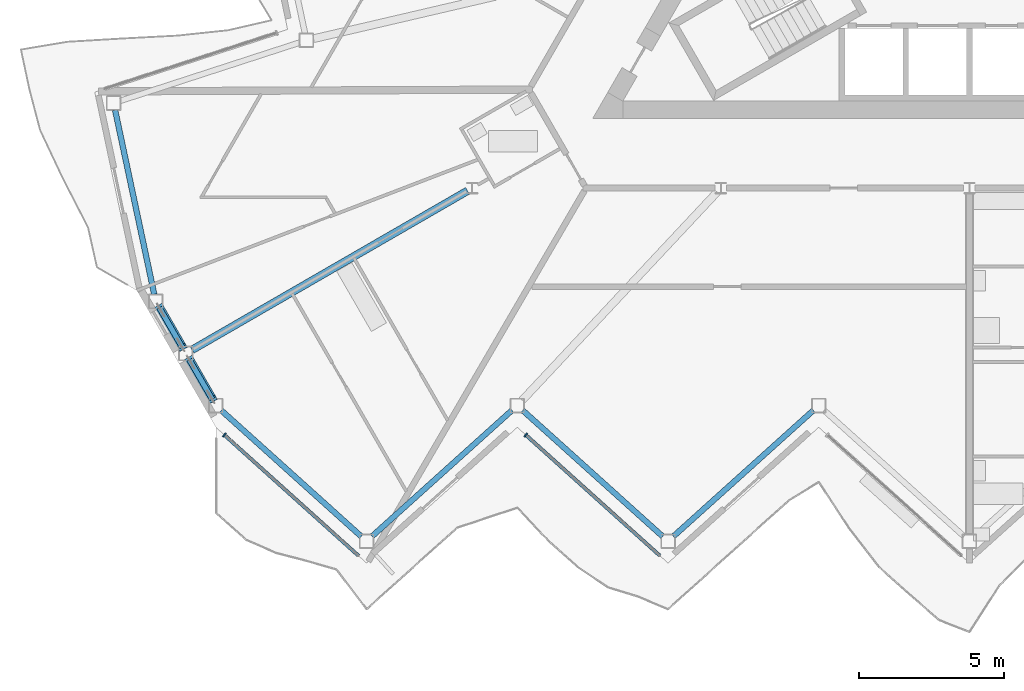
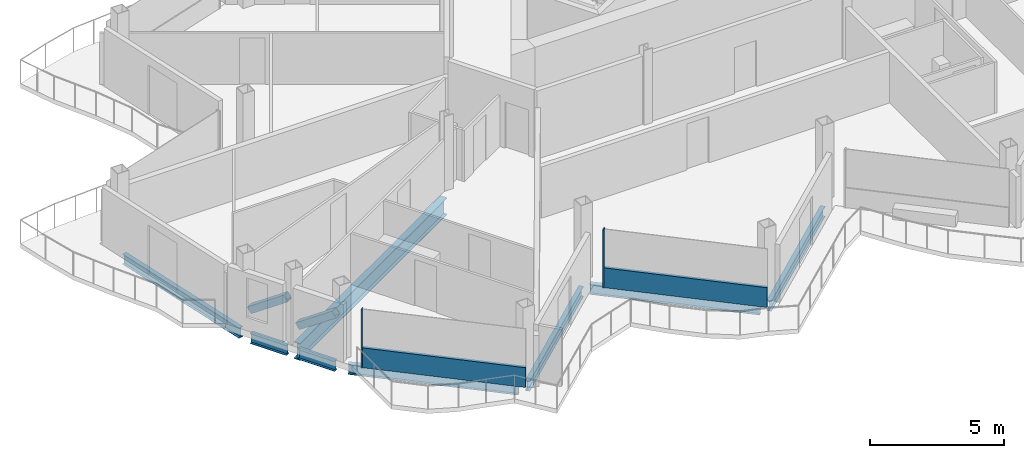
# One storey, part 4 of 26: 8 beams, 6 members, 2 elements without a shape of their own.
"""IFC4 building model written with IfcOpenShell, lengths in metres."""

from ifc_helpers import new_model, si_unit, direction, frame, origin, origin_2d, place, context, subcontext, project, spatial, rectangle, hollow_rectangle, i_section, extrude, material, layer, layer_set, material_profile, profile_set, type_object, element, aggregate, save


model = new_model("IFC4")

# Units and contexts
model_context = context("Model", 3, precision=1e-05, world=origin(), true_north=direction((0.0, 1.0)))
body_context = subcontext(model_context, "Body", "Model", "MODEL_VIEW")
ifc_project = project(units=[si_unit("LENGTHUNIT", "METRE"), si_unit("AREAUNIT", "SQUARE_METRE"), si_unit("VOLUMEUNIT", "CUBIC_METRE"), si_unit("PLANEANGLEUNIT", "RADIAN"), si_unit("MASSUNIT", "GRAM", prefix="KILO")], contexts=[model_context])

# Site, building, storey
site_placement = place(None, origin())
site = spatial("IfcSite", under=ifc_project, at=site_placement, CompositionType="ELEMENT")
building_placement = place(site_placement, origin())
building = spatial("IfcBuilding", under=site, at=building_placement, Name="Cormorant Prow Tower", CompositionType="ELEMENT")
storey_placement = place(building_placement, frame((0.0, 0.0, 364.39990234375)))
storey = spatial("IfcBuildingStorey", under=building, at=storey_placement, Name="L81", CompositionType="ELEMENT", Elevation=364.39990234375)

# Members
ifc_material_1 = material(Name="Structural steel ASTM A500 Gr C", Category="steel")
ifc_material_profile_1 = material_profile(ifc_material_1, hollow_rectangle(XDim=0.3046875, YDim=0.3046875, WallThickness=0.01171875, at=origin_2d()), Name="HSS12x12x1/2")
ifc_profile_set_1 = profile_set([ifc_material_profile_1], Name="Structural steel ASTM A500 Gr C")
member_type_1 = type_object("IfcMemberType", Name="Chamfer brace HSS12x12x1/2", PredefinedType="BRACE", material=ifc_profile_set_1)
member_1_placement = place(storey_placement, frame((-27.950439453125, -14.027587890625, 0.770751953125), z_axis=(0.411259909174, -0.712333680754, 0.568723143867), x_axis=(0.866028632512, 0.499994407638, 0.0)))
element("IfcMember", 1, at=member_1_placement, inside=storey, type_object=member_type_1, Name="Chamfer brace BR3 at WSW00 L81", PredefinedType="BRACE", context=body_context, shape_type="SweptSolid", body=[
    extrude(hollow_rectangle(XDim=0.3046875, YDim=0.3046875, WallThickness=0.01171875, at=origin_2d()), origin(), (0.0, 0.0, 1.0), 1.921142578125),
])
member_2_placement = place(storey_placement, frame((-26.91357421875, -15.823486328125, 0.770751953125), z_axis=(0.41132825952, -0.712359043209, 0.568641940485), x_axis=(0.866000359435, 0.500043375578, 0.0)))
element("IfcMember", 2, at=member_2_placement, inside=storey, type_object=member_type_1, Name="Chamfer brace BR3 at WSW01 L81", PredefinedType="BRACE", context=body_context, shape_type="SweptSolid", body=[
    extrude(hollow_rectangle(XDim=0.3046875, YDim=0.3046875, WallThickness=0.01171875, at=origin_2d()), origin(), (0.0, 0.0, 1.0), 1.92138671875),
])

# Beam
ifc_material_2 = material(Name="Structural steel ASTM A992 Gr 50", Category="steel")
ifc_material_profile_2 = material_profile(ifc_material_2, i_section(OverallWidth=0.267822265625, OverallDepth=0.77001953125, WebThickness=0.015625, FlangeThickness=0.025390625, at=origin_2d()), Name="W30x132")
ifc_profile_set_2 = profile_set([ifc_material_profile_2], Name="Structural steel ASTM A992 Gr 50")
beam_type_1 = type_object("IfcBeamType", Name="Radial floor beam W30x132", PredefinedType="BEAM", material=ifc_profile_set_2)
beam_1_placement = place(storey_placement, frame((-17.31884765625, -9.9990234375, -0.684814453125), z_axis=(-0.866018830095, -0.500011385791, 0.0), x_axis=(0.500011385791, -0.866018830095, 0.0)))
element("IfcBeam", 3, at=beam_1_placement, inside=storey, type_object=beam_type_1, Name="Radial floor beam FB3 5 L81", PredefinedType="BEAM", context=body_context, shape_type="SweptSolid", body=[
    extrude(i_section(OverallWidth=0.267822265625, OverallDepth=0.77001953125, WebThickness=0.015625, FlangeThickness=0.025390625, at=origin_2d()), origin(), (0.0, 0.0, 1.0), 10.971435546875),
])

# Curtain wall, member
ifc_material_3 = material(Name="Aluminium 6063-T6", Category="aluminium")
ifc_layer = layer(ifc_material_3, 0.159912109375)
ifc_layer_set = layer_set([ifc_layer], Name="Aluminium 6063-T6")
curtain_wall_type = type_object("IfcCurtainWallType", Name="Residential unitised curtain wall 160", PredefinedType="NOTDEFINED", material=ifc_layer_set)
curtain_wall_1_placement = place(storey_placement, origin())
curtain_wall_1 = element("IfcCurtainWall", 4, at=curtain_wall_1_placement, inside=storey, type_object=curtain_wall_type, Name="Residential curtain wall S00", PredefinedType="NOTDEFINED")
ifc_material_4 = material(Name="Aluminium 6063-T6", Category="aluminium")
ifc_material_profile_3 = material_profile(ifc_material_4, rectangle(XDim=0.159912109375, YDim=0.050048828125, at=origin_2d()), Name="Residential mullion 50x160")
ifc_profile_set_3 = profile_set([ifc_material_profile_3], Name="Aluminium 6063-T6")
member_type_2 = type_object("IfcMemberType", Name="Residential mullion 50x160", PredefinedType="MULLION", material=ifc_profile_set_3)
member_3_placement = place(storey_placement, frame((-25.70947265625, -18.4189453125, 0.0), z_axis=(0.0, 0.0, 1.0), x_axis=(0.669130682884, 0.743144756574, 0.0)))
member_3 = element("IfcMember", 5, at=member_3_placement, type_object=member_type_2, Name="Residential mullion S00", PredefinedType="MULLION", context=body_context, shape_type="SweptSolid", body=[
    extrude(rectangle(XDim=0.159912109375, YDim=0.050048828125, at=origin_2d()), origin(), (0.0, 0.0, 1.0), 2.634033203125),
])

curtain_wall_2_placement = place(storey_placement, origin())
curtain_wall_2 = element("IfcCurtainWall", 6, at=curtain_wall_2_placement, inside=storey, type_object=curtain_wall_type, Name="Residential curtain wall S02", PredefinedType="NOTDEFINED")
member_4_placement = place(storey_placement, frame((-15.309326171875, -18.4189453125, 0.0), z_axis=(0.0, 0.0, 1.0), x_axis=(0.669130682884, 0.743144756574, 0.0)))
member_4 = element("IfcMember", 7, at=member_4_placement, type_object=member_type_2, Name="Residential mullion S02", PredefinedType="MULLION", context=body_context, shape_type="SweptSolid", body=[
    extrude(rectangle(XDim=0.159912109375, YDim=0.050048828125, at=origin_2d()), origin(), (0.0, 0.0, 1.0), 2.634033203125),
])

# Member
ifc_material_5 = material(Name="Terracotta", Category="masonry")
ifc_material_profile_4 = material_profile(ifc_material_5, rectangle(XDim=0.1201171875, YDim=0.89990234375, at=origin_2d()), Name="Residential terracotta spandrel rail 120x900")
ifc_profile_set_4 = profile_set([ifc_material_profile_4], Name="Terracotta")
member_type_3 = type_object("IfcMemberType", Name="Residential terracotta spandrel rail 120x900", PredefinedType="USERDEFINED", material=ifc_profile_set_4)
member_5_placement = place(storey_placement, frame((-25.69091796875, -18.435791015625, 0.4501953125), z_axis=(0.743159360055, -0.669114463723, 0.0), x_axis=(0.669114463723, 0.743159360055, 0.0)))
member_5 = element("IfcMember", 8, at=member_5_placement, type_object=member_type_3, Name="Residential spandrel rail S00", ObjectType="TRANSOM", PredefinedType="USERDEFINED", context=body_context, shape_type="SweptSolid", body=[
    extrude(rectangle(XDim=0.1201171875, YDim=0.89990234375, at=origin_2d()), origin(), (0.0, 0.0, 1.0), 6.21533203125),
])

aggregate(curtain_wall_1, [member_3, member_5])

member_6_placement = place(storey_placement, frame((-15.290771484375, -18.435791015625, 0.4501953125), z_axis=(0.743159360055, -0.669114463723, 0.0), x_axis=(0.669114463723, 0.743159360055, 0.0)))
member_6 = element("IfcMember", 9, at=member_6_placement, type_object=member_type_3, Name="Residential spandrel rail S02", ObjectType="TRANSOM", PredefinedType="USERDEFINED", context=body_context, shape_type="SweptSolid", body=[
    extrude(rectangle(XDim=0.1201171875, YDim=0.89990234375, at=origin_2d()), origin(), (0.0, 0.0, 1.0), 6.21533203125),
])

aggregate(curtain_wall_2, [member_4, member_6])

# Beams
ifc_material_6 = material(Name="Structural steel ASTM A992 Gr 50", Category="steel")
ifc_material_profile_5 = material_profile(ifc_material_6, i_section(OverallWidth=0.19287109375, OverallDepth=0.466064453125, WebThickness=0.011474609375, FlangeThickness=0.01904296875, at=origin_2d()), Name="W18x65")
ifc_profile_set_5 = profile_set([ifc_material_profile_5], Name="Structural steel ASTM A992 Gr 50")
beam_type_2 = type_object("IfcBeamType", Name="Spandrel beam W18x65", PredefinedType="SPANDREL", material=ifc_profile_set_5)
for number, where, z_axis, x_axis, name in (
    (10, (-25.814208984375, -17.572998046875, -0.532958984375), (0.743131573737, -0.669145323614, 0.0), (0.669145323614, 0.743131573737, 0.0), "Spandrel beam SB4 S00-S01 L81"),
    (11, (-20.6142578125, -21.920654296875, -0.532958984375), (0.743131573737, 0.669145323614, 0.0), (-0.669145323614, 0.743131573737, 0.0), "Spandrel beam SB4 S01-S02 L81"),
):
    element("IfcBeam", number, at=place(storey_placement, frame(where, z_axis=z_axis, x_axis=x_axis)), inside=storey, type_object=beam_type_2, Name=name, PredefinedType="SPANDREL", context=body_context, shape_type="SweptSolid", body=[
        extrude(i_section(OverallWidth=0.19287109375, OverallDepth=0.466064453125, WebThickness=0.011474609375, FlangeThickness=0.01904296875, at=origin_2d()), origin(), (0.0, 0.0, 1.0), 6.497314453125),
    ])
beam_2_placement = place(storey_placement, frame((-15.414306640625, -17.572998046875, -0.532958984375), z_axis=(0.743148397689, -0.669126638995, 0.0), x_axis=(0.669126638995, 0.743148397689, 0.0)))
element("IfcBeam", 12, at=beam_2_placement, inside=storey, type_object=beam_type_2, Name="Spandrel beam SB4 S02-S03 L81", PredefinedType="SPANDREL", context=body_context, shape_type="SweptSolid", body=[
    extrude(i_section(OverallWidth=0.19287109375, OverallDepth=0.466064453125, WebThickness=0.011474609375, FlangeThickness=0.01904296875, at=origin_2d()), origin(), (0.0, 0.0, 1.0), 6.49755859375),
])
beam_3_placement = place(storey_placement, frame((-10.214111328125, -21.920654296875, -0.532958984375), z_axis=(0.743131573737, 0.669145323614, 0.0), x_axis=(-0.669145323614, 0.743131573737, 0.0)))
element("IfcBeam", 13, at=beam_3_placement, inside=storey, type_object=beam_type_2, Name="Spandrel beam SB4 S03-S04 L81", PredefinedType="SPANDREL", context=body_context, shape_type="SweptSolid", body=[
    extrude(i_section(OverallWidth=0.19287109375, OverallDepth=0.466064453125, WebThickness=0.011474609375, FlangeThickness=0.01904296875, at=origin_2d()), origin(), (0.0, 0.0, 1.0), 6.497314453125),
])
beam_4_placement = place(storey_placement, frame((-29.4765625, -7.2138671875, -0.532958984375), z_axis=(0.207901897373, -0.978149682344, 0.0), x_axis=(0.978149682344, 0.207901897373, 0.0)))
element("IfcBeam", 14, at=beam_4_placement, inside=storey, type_object=beam_type_2, Name="Spandrel beam SB4 WNW09-WSW00 L81", PredefinedType="SPANDREL", context=body_context, shape_type="SweptSolid", body=[
    extrude(i_section(OverallWidth=0.19287109375, OverallDepth=0.466064453125, WebThickness=0.011474609375, FlangeThickness=0.01904296875, at=origin_2d()), origin(), (0.0, 0.0, 1.0), 6.49755859375),
])
for number, where, z_axis, x_axis, name in (
    (15, (-27.94873046875, -14.0302734375, -0.532958984375), (0.499959680857, -0.866048680801, 0.0), (0.866048680801, 0.499959680857, 0.0), "Spandrel beam SB4 WSW00-WSW01 L81"),
    (16, (-26.911865234375, -15.826171875, -0.532958984375), (0.499959680857, -0.866048680801, 0.0), (0.866048680801, 0.499959680857, 0.0), "Spandrel beam SB4 WSW01-S00 L81"),
):
    element("IfcBeam", number, at=place(storey_placement, frame(where, z_axis=z_axis, x_axis=x_axis)), inside=storey, type_object=beam_type_2, Name=name, PredefinedType="SPANDREL", context=body_context, shape_type="SweptSolid", body=[
        extrude(i_section(OverallWidth=0.19287109375, OverallDepth=0.466064453125, WebThickness=0.011474609375, FlangeThickness=0.01904296875, at=origin_2d()), origin(), (0.0, 0.0, 1.0), 1.573974609375),
    ])

save(model, "model.ifc")
